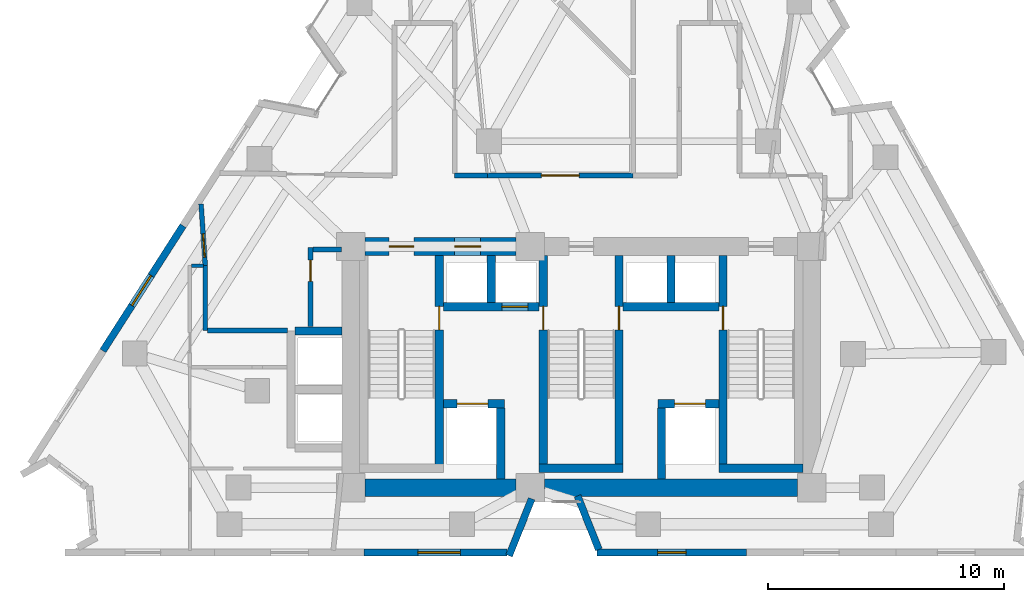
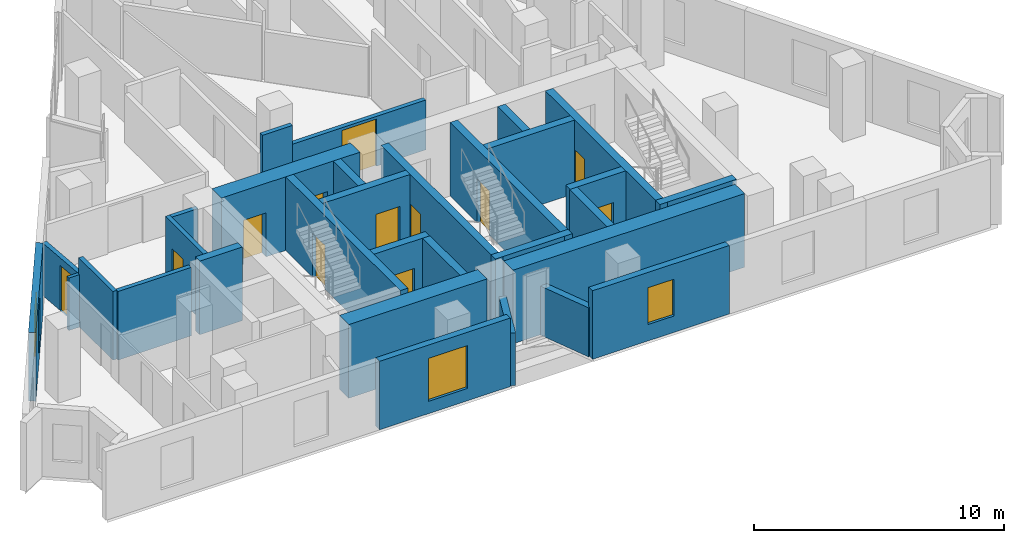
# One storey, part 6 of 10: 31 walls, 12 doors, 3 windows, 15 openings.
"""IFC4 building model written with IfcOpenShell, lengths in metres."""

from ifc_helpers import new_model, si_unit, direction, frame, frame_2d, origin, place, context, subcontext, project, spatial, rectangle, extrude, material, layer, layer_set, type_object, element, fill, save


model = new_model("IFC4")

# Units and contexts
model_context = context("Model", 3, precision=1e-05, world=origin(), true_north=direction((0.0, 1.0)))
body_context = subcontext(model_context, "Body", "Model", "MODEL_VIEW")
ifc_project = project(units=[si_unit("LENGTHUNIT", "METRE"), si_unit("AREAUNIT", "SQUARE_METRE"), si_unit("VOLUMEUNIT", "CUBIC_METRE"), si_unit("PLANEANGLEUNIT", "RADIAN"), si_unit("MASSUNIT", "GRAM", prefix="KILO")], contexts=[model_context])

# Site, building, storey
site_placement = place(None, origin())
site = spatial("IfcSite", under=ifc_project, at=site_placement, CompositionType="ELEMENT")
building_placement = place(site_placement, origin())
building = spatial("IfcBuilding", under=site, at=building_placement, Name="Almagre Mirador Tower", CompositionType="ELEMENT")
storey_placement = place(building_placement, frame((0.0, 0.0, 164.39990234375)))
storey = spatial("IfcBuildingStorey", under=building, at=storey_placement, Name="L42", CompositionType="ELEMENT", Elevation=164.39990234375)

# Wall, opening, window
ifc_material_1 = material(Name="Precast concrete C50/60", Category="concrete")
ifc_layer_1 = layer(ifc_material_1, 0.300048828125)
ifc_layer_set_1 = layer_set([ifc_layer_1], Name="Precast concrete C50/60")
wall_type_1 = type_object("IfcWallType", Name="WAL-EXT-300", PredefinedType="SOLIDWALL", material=ifc_layer_set_1)
wall_1_placement = place(storey_placement, frame((44.28662109375, 1.800048828125, 0.0), z_axis=(0.0, 0.0, 1.0), x_axis=(-1.0, 0.0, 0.0)))
wall_1 = element("IfcWall", 1, at=wall_1_placement, inside=storey, type_object=wall_type_1, Name="L42 expressed almagre precast frame wall 23", PredefinedType="SOLIDWALL", context=body_context, shape_type="SweptSolid", body=[
    extrude(rectangle(XDim=6.32666015625, YDim=0.300048828125, at=frame_2d((3.163330078125, 0.0))), origin(), (0.0, 0.0, 1.0), 3.35009765625),
])
opening_1_placement = place(wall_1_placement, frame((2.550048828125, 0.0, 0.800048828125)))
opening_1 = element("IfcOpeningElement", 2, at=opening_1_placement, cuts=wall_1, Name="Opening WN-04", PredefinedType="OPENING", context=body_context, shape_type="SweptSolid", body=[
    extrude(rectangle(XDim=1.199951171875, YDim=1.800048828125, at=frame_2d((0.60009765625, 0.89990234375))), frame((0.0, 0.159902, 0.0), z_axis=(0.0, -1.0, 0.0), x_axis=(1.0, 0.0, 0.0)), (0.0, 0.0, 1.0), 0.320049),
])
ifc_material_2 = material(Name="Dark solar-control laminated hurricane glass", Category="glass")
window_type_1 = type_object("IfcWindowType", Name="WIN-1200X1800", PartitioningType="SINGLE_PANEL", PredefinedType="WINDOW", material=ifc_material_2)
window_1_placement = place(opening_1_placement, origin())
window_1 = element("IfcWindow", 3, at=window_1_placement, inside=storey, type_object=window_type_1, Name="L42 recessed hurricane window L42-RST-B", OverallHeight=1.800048828125, OverallWidth=1.199951171875, PartitioningType="SINGLE_PANEL", PredefinedType="WINDOW", context=body_context, shape_type="SweptSolid", body=[
    extrude(rectangle(XDim=1.199951171875, YDim=1.800048828125, at=frame_2d((0.60009765625, 0.89990234375))), frame((0.0, 0.030029296875, 0.0), z_axis=(0.0, -1.0, 0.0), x_axis=(1.0, 0.0, 0.0)), (0.0, 0.0, 1.0), 0.06005859375),
])
fill(opening_1, window_1)

# Walls
wall_2_placement = place(storey_placement, frame((38.048095703125, 1.93017578125, 0.0), z_axis=(0.0, 0.0, 1.0), x_axis=(-0.369476217581, 0.929240186734, 0.0)))
element("IfcWall", 4, at=wall_2_placement, inside=storey, type_object=wall_type_1, Name="L42 expressed almagre precast frame wall 24", PredefinedType="SOLIDWALL", context=body_context, shape_type="SweptSolid", body=[
    extrude(rectangle(XDim=2.441650390625, YDim=0.300048828125, at=frame_2d((1.220703125, 0.0))), origin(), (0.0, 0.0, 1.0), 2.398193359375),
])
wall_3_placement = place(storey_placement, frame((35.206787109375, 4.080078125, 0.0), z_axis=(0.0, 0.0, 1.0), x_axis=(-0.369539870332, -0.929214875169, 0.0)))
element("IfcWall", 5, at=wall_3_placement, inside=storey, type_object=wall_type_1, Name="L42 expressed almagre precast frame wall 25", PredefinedType="SOLIDWALL", context=body_context, shape_type="SweptSolid", body=[
    extrude(rectangle(XDim=2.59375, YDim=0.300048828125, at=frame_2d((1.296875, 0.0))), origin(), (0.0, 0.0, 1.0), 2.5751953125),
])

# Wall, opening, window
wall_4_placement = place(storey_placement, frame((34.159912109375, 1.800048828125, 0.0), z_axis=(0.0, 0.0, 1.0), x_axis=(-1.0, 0.0, 0.0)))
wall_4 = element("IfcWall", 6, at=wall_4_placement, inside=storey, type_object=wall_type_1, Name="L42 expressed almagre precast frame wall 26", PredefinedType="SOLIDWALL", context=body_context, shape_type="SweptSolid", body=[
    extrude(rectangle(XDim=6.046630859375, YDim=0.300048828125, at=frame_2d((3.0234375, 0.0))), origin(), (0.0, 0.0, 1.0), 3.35009765625),
])
opening_2_placement = place(wall_4_placement, frame((1.969970703125, 0.0, 0.60009765625)))
opening_2 = element("IfcOpeningElement", 7, at=opening_2_placement, cuts=wall_4, Name="Opening WN-01", PredefinedType="OPENING", context=body_context, shape_type="SweptSolid", body=[
    extrude(rectangle(XDim=1.800048828125, YDim=2.10009765625, at=frame_2d((0.89990234375, 1.050048828125))), frame((0.0, 0.159902, 0.0), z_axis=(0.0, -1.0, 0.0), x_axis=(1.0, 0.0, 0.0)), (0.0, 0.0, 1.0), 0.320049),
])
ifc_material_3 = material(Name="Dark solar-control laminated hurricane glass", Category="glass")
window_type_2 = type_object("IfcWindowType", Name="WIN-1800X2100", PartitioningType="DOUBLE_PANEL_VERTICAL", PredefinedType="WINDOW", material=ifc_material_3)
window_2_placement = place(opening_2_placement, origin())
window_2 = element("IfcWindow", 8, at=window_2_placement, inside=storey, type_object=window_type_2, Name="L42 recessed hurricane window L42-RST-B", OverallHeight=2.10009765625, OverallWidth=1.800048828125, PartitioningType="SINGLE_PANEL", PredefinedType="WINDOW", context=body_context, shape_type="SweptSolid", body=[
    extrude(rectangle(XDim=1.800048828125, YDim=2.10009765625, at=frame_2d((0.89990234375, 1.050048828125))), frame((0.0, 0.030029296875, 0.0), z_axis=(0.0, -1.0, 0.0), x_axis=(1.0, 0.0, 0.0)), (0.0, 0.0, 1.0), 0.06005859375),
])
fill(opening_2, window_2)

wall_5_placement = place(storey_placement, frame((17.07177734375, 10.33935546875, 0.0), z_axis=(0.0, 0.0, 1.0), x_axis=(0.539533329528, 0.841964242904, 0.0)))
wall_5 = element("IfcWall", 9, at=wall_5_placement, inside=storey, type_object=wall_type_1, Name="L42 expressed almagre precast frame wall 34", PredefinedType="SOLIDWALL", context=body_context, shape_type="SweptSolid", body=[
    extrude(rectangle(XDim=6.281982421875, YDim=0.300048828125, at=frame_2d((3.14111328125, 0.0))), origin(), (0.0, 0.0, 1.0), 3.35009765625),
])
opening_3_placement = place(wall_5_placement, frame((2.27490234375, 0.0, 0.60009765625)))
opening_3 = element("IfcOpeningElement", 10, at=opening_3_placement, cuts=wall_5, Name="Opening WN-03", PredefinedType="OPENING", context=body_context, shape_type="SweptSolid", body=[
    extrude(rectangle(XDim=1.5, YDim=2.10009765625, at=frame_2d((0.75, 1.050048828125))), frame((0.0, 0.159902, 0.0), z_axis=(0.0, -1.0, 0.0), x_axis=(1.0, 0.0, 0.0)), (0.0, 0.0, 1.0), 0.320049),
])
ifc_material_4 = material(Name="Dark solar-control laminated hurricane glass", Category="glass")
window_type_3 = type_object("IfcWindowType", Name="WIN-1500X2100", PartitioningType="DOUBLE_PANEL_VERTICAL", PredefinedType="WINDOW", material=ifc_material_4)
window_3_placement = place(opening_3_placement, origin())
window_3 = element("IfcWindow", 11, at=window_3_placement, inside=storey, type_object=window_type_3, Name="L42 recessed hurricane window L42-UA-LV", OverallHeight=2.10009765625, OverallWidth=1.5, PartitioningType="SINGLE_PANEL", PredefinedType="WINDOW", context=body_context, shape_type="SweptSolid", body=[
    extrude(rectangle(XDim=1.5, YDim=2.10009765625, at=frame_2d((0.75, 1.050048828125))), frame((0.0, 0.030029296875, 0.0), z_axis=(0.0, -1.0, 0.0), x_axis=(1.0, 0.0, 0.0)), (0.0, 0.0, 1.0), 0.06005859375),
])
fill(opening_3, window_3)

# Wall
ifc_material_5 = material(Name="Gypsum acoustic stud partition", Category="other")
ifc_layer_2 = layer(ifc_material_5, 0.14990234375)
ifc_layer_set_2 = layer_set([ifc_layer_2], Name="Gypsum acoustic stud partition")
wall_type_2 = type_object("IfcWallType", Name="WAL-PRT-150-STD", PredefinedType="PARTITIONING", material=ifc_layer_set_2)
wall_6_placement = place(storey_placement, frame((20.81005859375, 13.93994140625, 0.0), z_axis=(0.0, 0.0, 1.0), x_axis=(1.0, 0.0, 0.0)))
element("IfcWall", 12, at=wall_6_placement, inside=storey, type_object=wall_type_2, Name="L42 interior partition 021", PredefinedType="PARTITIONING", context=body_context, shape_type="SweptSolid", body=[
    extrude(rectangle(XDim=0.5048828125, YDim=0.14990234375, at=frame_2d((0.25244140625, 0.0))), origin(), (0.0, 0.0, 1.0), 2.570068359375),
])

# Wall, opening, door
ifc_material_6 = material(Name="Gypsum acoustic stud partition", Category="other")
ifc_layer_3 = layer(ifc_material_6, 0.199951171875)
ifc_layer_set_3 = layer_set([ifc_layer_3], Name="Gypsum acoustic stud partition")
wall_type_3 = type_object("IfcWallType", Name="WAL-PRT-200-EI60", PredefinedType="PARTITIONING", material=ifc_layer_set_3)
wall_7_placement = place(storey_placement, frame((25.85009765625, 11.3701171875, 0.0), z_axis=(0.0, 0.0, 1.0), x_axis=(0.0, 1.0, 0.0)))
wall_7 = element("IfcWall", 13, at=wall_7_placement, inside=storey, type_object=wall_type_3, Name="L42 core ancillary west wall", PredefinedType="PARTITIONING", context=body_context, shape_type="SweptSolid", body=[
    extrude(rectangle(XDim=3.33984375, YDim=0.199951171875, at=frame_2d((1.669921875, 0.0))), origin(), (0.0, 0.0, 1.0), 3.35009765625),
])
opening_4_placement = place(wall_7_placement, frame((1.89990234375, 0.0, 0.0)))
opening_4 = element("IfcOpeningElement", 14, at=opening_4_placement, cuts=wall_7, Name="Opening ID-03", PredefinedType="OPENING", context=body_context, shape_type="SweptSolid", body=[
    extrude(rectangle(XDim=0.89990234375, YDim=2.10009765625, at=frame_2d((0.449951171875, 1.050048828125))), frame((0.0, 0.110098, 0.0), z_axis=(0.0, -1.0, 0.0), x_axis=(1.0, 0.0, 0.0)), (0.0, 0.0, 1.0), 0.219951),
])
ifc_material_7 = material(Name="Fire-rated hollow steel", Category="steel")
door_type_1 = type_object("IfcDoorType", Name="DOR-FD60-900X2100", OperationType="NOTDEFINED", PredefinedType="DOOR", material=ifc_material_7)
door_1_placement = place(opening_4_placement, origin())
door_1 = element("IfcDoor", 15, at=door_1_placement, inside=storey, type_object=door_type_1, Name="DR-1343 L42 core ancillary corridor door", OperationType="SINGLE_SWING_RIGHT", OverallHeight=2.10009765625, OverallWidth=0.89990234375, PredefinedType="DOOR", context=body_context, shape_type="SweptSolid", body=[
    extrude(rectangle(XDim=0.89990234375, YDim=2.10009765625, at=frame_2d((0.449951171875, 1.050048828125))), frame((0.0, 0.02490234375, 0.0), z_axis=(0.0, -1.0, 0.0), x_axis=(1.0, 0.0, 0.0)), (0.0, 0.0, 1.0), 0.050048828125),
])
fill(opening_4, door_1)

# Wall
wall_8_placement = place(storey_placement, frame((25.955078125, 14.6201171875, 0.0), z_axis=(0.0, 0.0, 1.0), x_axis=(1.0, 0.0, 0.0)))
element("IfcWall", 16, at=wall_8_placement, inside=storey, type_object=wall_type_3, Name="L42 core ancillary north wall", PredefinedType="PARTITIONING", context=body_context, shape_type="SweptSolid", body=[
    extrude(rectangle(XDim=1.204833984375, YDim=0.199951171875, at=frame_2d((0.6025390625, 0.0))), origin(), (0.0, 0.0, 1.0), 3.35009765625),
])

# Wall, opening, door
wall_9_placement = place(storey_placement, frame((21.221923828125, 16.547119140625, 0.0), z_axis=(0.0, 0.0, 1.0), x_axis=(0.068106312632, -0.997678069409, 0.0)))
wall_9 = element("IfcWall", 17, at=wall_9_placement, inside=storey, type_object=wall_type_3, Name="L42 interior partition 001", PredefinedType="PARTITIONING", context=body_context, shape_type="SweptSolid", body=[
    extrude(rectangle(XDim=2.61328125, YDim=0.199951171875, at=frame_2d((1.306640625, 0.0))), origin(), (0.0, 0.0, 1.0), 2.570068359375),
])
opening_5_placement = place(wall_9_placement, frame((1.259521484375, 0.0, 0.0)))
opening_5 = element("IfcOpeningElement", 18, at=opening_5_placement, cuts=wall_9, Name="Opening ID-01", PredefinedType="OPENING", context=body_context, shape_type="SweptSolid", body=[
    extrude(rectangle(XDim=1.0, YDim=2.199951171875, at=frame_2d((0.5, 1.10009765625))), frame((0.0, 0.110098, 0.0), z_axis=(0.0, -1.0, 0.0), x_axis=(1.0, 0.0, 0.0)), (0.0, 0.0, 1.0), 0.219951),
])
ifc_material_8 = material(Name="Fire-rated walnut timber", Category="wood")
door_type_2 = type_object("IfcDoorType", Name="DOR-FD60-1000X2200", OperationType="NOTDEFINED", PredefinedType="DOOR", material=ifc_material_8)
door_2_placement = place(opening_5_placement, origin())
door_2 = element("IfcDoor", 19, at=door_2_placement, inside=storey, type_object=door_type_2, Name="DR-1354 L42 interior door L42-RCOR to L42-UA-LV", OperationType="SINGLE_SWING_LEFT", OverallHeight=2.199951171875, OverallWidth=1.0, PredefinedType="DOOR", context=body_context, shape_type="SweptSolid", body=[
    extrude(rectangle(XDim=1.0, YDim=2.199951171875, at=frame_2d((0.5, 1.10009765625))), frame((0.0, 0.02490234375, 0.0), z_axis=(0.0, -1.0, 0.0), x_axis=(1.0, 0.0, 0.0)), (0.0, 0.0, 1.0), 0.050048828125),
])
fill(opening_5, door_2)

# Walls
wall_10_placement = place(storey_placement, frame((21.39990234375, 13.93994140625, 0.0), z_axis=(0.0, 0.0, 1.0), x_axis=(0.0, -1.0, 0.0)))
element("IfcWall", 20, at=wall_10_placement, inside=storey, type_object=wall_type_3, Name="L42 interior partition 002", PredefinedType="PARTITIONING", context=body_context, shape_type="SweptSolid", body=[
    extrude(rectangle(XDim=2.739990234375, YDim=0.199951171875, at=frame_2d((1.3701171875, 0.0))), origin(), (0.0, 0.0, 1.0), 3.35009765625),
])
wall_11_placement = place(storey_placement, frame((21.485107421875, 11.199951171875, 0.0), z_axis=(0.0, 0.0, 1.0), x_axis=(1.0, 0.0, 0.0)))
element("IfcWall", 21, at=wall_11_placement, inside=storey, type_object=wall_type_3, Name="L42 interior partition 003", PredefinedType="PARTITIONING", context=body_context, shape_type="SweptSolid", body=[
    extrude(rectangle(XDim=3.384033203125, YDim=0.199951171875, at=frame_2d((1.69189453125, 0.0))), origin(), (0.0, 0.0, 1.0), 3.35009765625),
])
wall_12_placement = place(storey_placement, frame((33.330078125, 17.75, 0.0), z_axis=(0.0, 0.0, 1.0), x_axis=(-1.0, 0.0, 0.0)))
element("IfcWall", 22, at=wall_12_placement, inside=storey, type_object=wall_type_3, Name="L42 interior partition 010", PredefinedType="PARTITIONING", context=body_context, shape_type="SweptSolid", body=[
    extrude(rectangle(XDim=1.380126953125, YDim=0.199951171875, at=frame_2d((0.68994140625, 0.0))), origin(), (0.0, 0.0, 1.0), 3.35009765625),
])

# Wall, opening, door
wall_13_placement = place(storey_placement, frame((39.5, 17.75, 0.0), z_axis=(0.0, 0.0, 1.0), x_axis=(-1.0, 0.0, 0.0)))
wall_13 = element("IfcWall", 23, at=wall_13_placement, inside=storey, type_object=wall_type_3, Name="L42 interior partition 013", PredefinedType="PARTITIONING", context=body_context, shape_type="SweptSolid", body=[
    extrude(rectangle(XDim=6.169921875, YDim=0.199951171875, at=frame_2d((3.0849609375, 0.0))), origin(), (0.0, 0.0, 1.0), 2.43603515625),
])
opening_6_placement = place(wall_13_placement, frame((2.284912109375, 0.0, 0.0)))
opening_6 = element("IfcOpeningElement", 24, at=opening_6_placement, cuts=wall_13, Name="Opening ID-05", PredefinedType="OPENING", context=body_context, shape_type="SweptSolid", body=[
    extrude(rectangle(XDim=1.60009765625, YDim=2.300048828125, at=frame_2d((0.800048828125, 1.14990234375))), frame((0.0, 0.110098, 0.0), z_axis=(0.0, -1.0, 0.0), x_axis=(1.0, 0.0, 0.0)), (0.0, 0.0, 1.0), 0.219951),
])
ifc_material_9 = material(Name="Fire-rated acoustic timber", Category="wood")
door_type_3 = type_object("IfcDoorType", Name="DOR-FD60-1600X2300", OperationType="DOUBLE_DOOR_SINGLE_SWING", PredefinedType="DOOR", material=ifc_material_9)
door_3_placement = place(opening_6_placement, origin())
door_3 = element("IfcDoor", 25, at=door_3_placement, inside=storey, type_object=door_type_3, Name="DR-1351 L42 interior door L42-RCOR to L42-RST-G", OperationType="DOUBLE_DOOR_SINGLE_SWING", OverallHeight=2.300048828125, OverallWidth=1.60009765625, PredefinedType="DOOR", context=body_context, shape_type="SweptSolid", body=[
    extrude(rectangle(XDim=1.60009765625, YDim=2.300048828125, at=frame_2d((0.800048828125, 1.14990234375))), frame((0.0, 0.02490234375, 0.0), z_axis=(0.0, -1.0, 0.0), x_axis=(1.0, 0.0, 0.0)), (0.0, 0.0, 1.0), 0.050048828125),
])
fill(opening_6, door_3)

ifc_material_10 = material(Name="Concrete C60/75", Category="concrete")
ifc_layer_4 = layer(ifc_material_10, 0.35009765625)
ifc_layer_set_4 = layer_set([ifc_layer_4], Name="Concrete C60/75")
wall_type_4 = type_object("IfcWallType", Name="WAL-SHF-350", PredefinedType="SOLIDWALL", material=ifc_layer_set_4)
wall_14_placement = place(storey_placement, frame((31.300048828125, 5.199951171875, 0.0), z_axis=(0.0, 0.0, 1.0), x_axis=(0.0, 1.0, 0.0)))
wall_14 = element("IfcWall", 26, at=wall_14_placement, inside=storey, type_object=wall_type_4, Name="L42 shaft wall ST1-E", PredefinedType="SOLIDWALL", context=body_context, shape_type="SweptSolid", body=[
    extrude(rectangle(XDim=9.175048828125, YDim=0.35009765625, at=frame_2d((4.58740234375, 0.0))), origin(), (0.0, 0.0, 1.0), 3.60009765625),
])
opening_7_placement = place(wall_14_placement, frame((6.02001953125, 0.0, 0.0)))
opening_7 = element("IfcOpeningElement", 27, at=opening_7_placement, cuts=wall_14, Name="Opening FD-01", PredefinedType="OPENING", context=body_context, shape_type="SweptSolid", body=[
    extrude(rectangle(XDim=1.0, YDim=2.14990234375, at=frame_2d((0.5, 1.074951171875))), frame((0.0, 0.185049, 0.0), z_axis=(0.0, -1.0, 0.0), x_axis=(1.0, 0.0, 0.0)), (0.0, 0.0, 1.0), 0.370098),
])
ifc_material_11 = material(Name="Fire-rated hollow steel", Category="steel")
door_type_4 = type_object("IfcDoorType", Name="DOR-FFL-1000X2150", OperationType="NOTDEFINED", PredefinedType="DOOR", material=ifc_material_11)
door_4_placement = place(opening_7_placement, origin())
door_4 = element("IfcDoor", 28, at=door_4_placement, inside=storey, type_object=door_type_4, Name="DR-1344 L42 FFL1-ST1 smokeproof door", OperationType="SINGLE_SWING_RIGHT", OverallHeight=2.14990234375, OverallWidth=1.0, PredefinedType="DOOR", context=body_context, shape_type="SweptSolid", body=[
    extrude(rectangle(XDim=1.0, YDim=2.14990234375, at=frame_2d((0.5, 1.074951171875))), frame((0.0, 0.02490234375, 0.0), z_axis=(0.0, -1.0, 0.0), x_axis=(1.0, 0.0, 0.0)), (0.0, 0.0, 1.0), 0.050048828125),
])
fill(opening_7, door_4)

wall_15_placement = place(storey_placement, frame((35.699951171875, 5.199951171875, 0.0), z_axis=(0.0, 0.0, 1.0), x_axis=(0.0, 1.0, 0.0)))
wall_15 = element("IfcWall", 29, at=wall_15_placement, inside=storey, type_object=wall_type_4, Name="L42 shaft wall ST2-W", PredefinedType="SOLIDWALL", context=body_context, shape_type="SweptSolid", body=[
    extrude(rectangle(XDim=9.175048828125, YDim=0.35009765625, at=frame_2d((4.58740234375, 0.0))), origin(), (0.0, 0.0, 1.0), 3.60009765625),
])
opening_8_placement = place(wall_15_placement, frame((6.02001953125, 0.0, 0.0)))
opening_8 = element("IfcOpeningElement", 30, at=opening_8_placement, cuts=wall_15, Name="Opening FD-01", PredefinedType="OPENING", context=body_context, shape_type="SweptSolid", body=[
    extrude(rectangle(XDim=1.0, YDim=2.14990234375, at=frame_2d((0.5, 1.074951171875))), frame((0.0, 0.185049, 0.0), z_axis=(0.0, -1.0, 0.0), x_axis=(1.0, 0.0, 0.0)), (0.0, 0.0, 1.0), 0.370098),
])
door_5_placement = place(opening_8_placement, origin())
door_5 = element("IfcDoor", 31, at=door_5_placement, inside=storey, type_object=door_type_4, Name="DR-1345 L42 FFL1-ST2 smokeproof door", OperationType="SINGLE_SWING_LEFT", OverallHeight=2.14990234375, OverallWidth=1.0, PredefinedType="DOOR", context=body_context, shape_type="SweptSolid", body=[
    extrude(rectangle(XDim=1.0, YDim=2.14990234375, at=frame_2d((0.5, 1.074951171875))), frame((0.0, 0.02490234375, 0.0), z_axis=(0.0, -1.0, 0.0), x_axis=(1.0, 0.0, 0.0)), (0.0, 0.0, 1.0), 0.050048828125),
])
fill(opening_8, door_5)

wall_16_placement = place(storey_placement, frame((38.89990234375, 5.199951171875, 0.0), z_axis=(0.0, 0.0, 1.0), x_axis=(0.0, 1.0, 0.0)))
wall_16 = element("IfcWall", 32, at=wall_16_placement, inside=storey, type_object=wall_type_4, Name="L42 shaft wall ST2-E", PredefinedType="SOLIDWALL", context=body_context, shape_type="SweptSolid", body=[
    extrude(rectangle(XDim=9.175048828125, YDim=0.35009765625, at=frame_2d((4.58740234375, 0.0))), origin(), (0.0, 0.0, 1.0), 3.60009765625),
])
opening_9_placement = place(wall_16_placement, frame((6.02001953125, 0.0, 0.0)))
opening_9 = element("IfcOpeningElement", 33, at=opening_9_placement, cuts=wall_16, Name="Opening FD-01", PredefinedType="OPENING", context=body_context, shape_type="SweptSolid", body=[
    extrude(rectangle(XDim=1.0, YDim=2.14990234375, at=frame_2d((0.5, 1.074951171875))), frame((0.0, 0.185049, 0.0), z_axis=(0.0, -1.0, 0.0), x_axis=(1.0, 0.0, 0.0)), (0.0, 0.0, 1.0), 0.370098),
])
door_6_placement = place(opening_9_placement, origin())
door_6 = element("IfcDoor", 34, at=door_6_placement, inside=storey, type_object=door_type_4, Name="DR-1346 L42 FFL2-ST2 smokeproof door", OperationType="SINGLE_SWING_RIGHT", OverallHeight=2.14990234375, OverallWidth=1.0, PredefinedType="DOOR", context=body_context, shape_type="SweptSolid", body=[
    extrude(rectangle(XDim=1.0, YDim=2.14990234375, at=frame_2d((0.5, 1.074951171875))), frame((0.0, 0.02490234375, 0.0), z_axis=(0.0, -1.0, 0.0), x_axis=(1.0, 0.0, 0.0)), (0.0, 0.0, 1.0), 0.050048828125),
])
fill(opening_9, door_6)

# Wall
wall_17_placement = place(storey_placement, frame((35.52490234375, 5.375, 0.0), z_axis=(0.0, 0.0, 1.0), x_axis=(1.0, 0.0, 0.0)))
element("IfcWall", 35, at=wall_17_placement, inside=storey, type_object=wall_type_4, Name="L42 shaft wall ST2-S", PredefinedType="SOLIDWALL", context=body_context, shape_type="SweptSolid", body=[
    extrude(rectangle(XDim=3.550048828125, YDim=0.35009765625, at=frame_2d((1.77490234375, 0.0))), origin(), (0.0, 0.0, 1.0), 3.60009765625),
])

# Wall, opening, door
wall_18_placement = place(storey_placement, frame((43.300048828125, 5.199951171875, 0.0), z_axis=(0.0, 0.0, 1.0), x_axis=(0.0, 1.0, 0.0)))
wall_18 = element("IfcWall", 36, at=wall_18_placement, inside=storey, type_object=wall_type_4, Name="L42 shaft wall ST3-W", PredefinedType="SOLIDWALL", context=body_context, shape_type="SweptSolid", body=[
    extrude(rectangle(XDim=9.175048828125, YDim=0.35009765625, at=frame_2d((4.58740234375, 0.0))), origin(), (0.0, 0.0, 1.0), 3.60009765625),
])
opening_10_placement = place(wall_18_placement, frame((6.02001953125, 0.0, 0.0)))
opening_10 = element("IfcOpeningElement", 37, at=opening_10_placement, cuts=wall_18, Name="Opening FD-01", PredefinedType="OPENING", context=body_context, shape_type="SweptSolid", body=[
    extrude(rectangle(XDim=1.0, YDim=2.14990234375, at=frame_2d((0.5, 1.074951171875))), frame((0.0, 0.185049, 0.0), z_axis=(0.0, -1.0, 0.0), x_axis=(1.0, 0.0, 0.0)), (0.0, 0.0, 1.0), 0.370098),
])
door_7_placement = place(opening_10_placement, origin())
door_7 = element("IfcDoor", 38, at=door_7_placement, inside=storey, type_object=door_type_4, Name="DR-1347 L42 FFL2-ST3 smokeproof door", OperationType="SINGLE_SWING_LEFT", OverallHeight=2.14990234375, OverallWidth=1.0, PredefinedType="DOOR", context=body_context, shape_type="SweptSolid", body=[
    extrude(rectangle(XDim=1.0, YDim=2.14990234375, at=frame_2d((0.5, 1.074951171875))), frame((0.0, 0.02490234375, 0.0), z_axis=(0.0, -1.0, 0.0), x_axis=(1.0, 0.0, 0.0)), (0.0, 0.0, 1.0), 0.050048828125),
])
fill(opening_10, door_7)

# Wall
wall_19_placement = place(storey_placement, frame((43.125, 5.375, 0.0), z_axis=(0.0, 0.0, 1.0), x_axis=(1.0, 0.0, 0.0)))
element("IfcWall", 39, at=wall_19_placement, inside=storey, type_object=wall_type_4, Name="L42 shaft wall ST3-S", PredefinedType="SOLIDWALL", context=body_context, shape_type="SweptSolid", body=[
    extrude(rectangle(XDim=3.550048828125, YDim=0.35009765625, at=frame_2d((1.77490234375, 0.0))), origin(), (0.0, 0.0, 1.0), 3.60009765625),
])

# Wall, opening, door
wall_20_placement = place(storey_placement, frame((31.47509765625, 8.10009765625, 0.0), z_axis=(0.0, 0.0, 1.0), x_axis=(1.0, 0.0, 0.0)))
wall_20 = element("IfcWall", 40, at=wall_20_placement, inside=storey, type_object=wall_type_4, Name="L42 shaft wall FSAE1-N", PredefinedType="SOLIDWALL", context=body_context, shape_type="SweptSolid", body=[
    extrude(rectangle(XDim=2.574951171875, YDim=0.35009765625, at=frame_2d((1.28759765625, 0.0))), origin(), (0.0, 0.0, 1.0), 3.60009765625),
])
opening_11_placement = place(wall_20_placement, frame((0.574951171875, 0.0, 0.0)))
opening_11 = element("IfcOpeningElement", 41, at=opening_11_placement, cuts=wall_20, Name="Opening LD-03", PredefinedType="OPENING", context=body_context, shape_type="SweptSolid", body=[
    extrude(rectangle(XDim=1.300048828125, YDim=2.25, at=frame_2d((0.64990234375, 1.125))), frame((0.0, 0.185049, 0.0), z_axis=(0.0, -1.0, 0.0), x_axis=(1.0, 0.0, 0.0)), (0.0, 0.0, 1.0), 0.370098),
])
ifc_material_12 = material(Name="Hollow stainless steel", Category="steel")
door_type_5 = type_object("IfcDoorType", Name="DOR-LD-1300X2250", OperationType="DOUBLE_DOOR_SLIDING", PredefinedType="DOOR", material=ifc_material_12)
door_8_placement = place(opening_11_placement, origin())
door_8 = element("IfcDoor", 42, at=door_8_placement, inside=storey, type_object=door_type_5, Name="DR-1364 L42 FSAE-1 lift landing door", OperationType="DOUBLE_DOOR_SLIDING", OverallHeight=2.25, OverallWidth=1.300048828125, PredefinedType="DOOR", context=body_context, shape_type="SweptSolid", body=[
    extrude(rectangle(XDim=1.300048828125, YDim=2.25, at=frame_2d((0.64990234375, 1.125))), frame((0.0, 0.02490234375, 0.0), z_axis=(0.0, -1.0, 0.0), x_axis=(1.0, 0.0, 0.0)), (0.0, 0.0, 1.0), 0.050048828125),
])
fill(opening_11, door_8)

wall_21_placement = place(storey_placement, frame((40.550048828125, 8.10009765625, 0.0), z_axis=(0.0, 0.0, 1.0), x_axis=(1.0, 0.0, 0.0)))
wall_21 = element("IfcWall", 43, at=wall_21_placement, inside=storey, type_object=wall_type_4, Name="L42 shaft wall FSAE2-N", PredefinedType="SOLIDWALL", context=body_context, shape_type="SweptSolid", body=[
    extrude(rectangle(XDim=2.574951171875, YDim=0.35009765625, at=frame_2d((1.28759765625, 0.0))), origin(), (0.0, 0.0, 1.0), 3.60009765625),
])
opening_12_placement = place(wall_21_placement, frame((0.699951171875, 0.0, 0.0)))
opening_12 = element("IfcOpeningElement", 44, at=opening_12_placement, cuts=wall_21, Name="Opening LD-03", PredefinedType="OPENING", context=body_context, shape_type="SweptSolid", body=[
    extrude(rectangle(XDim=1.300048828125, YDim=2.25, at=frame_2d((0.64990234375, 1.125))), frame((0.0, 0.185049, 0.0), z_axis=(0.0, -1.0, 0.0), x_axis=(1.0, 0.0, 0.0)), (0.0, 0.0, 1.0), 0.370098),
])
door_9_placement = place(opening_12_placement, origin())
door_9 = element("IfcDoor", 45, at=door_9_placement, inside=storey, type_object=door_type_5, Name="DR-1365 L42 FSAE-2 lift landing door", OperationType="DOUBLE_DOOR_SLIDING", OverallHeight=2.25, OverallWidth=1.300048828125, PredefinedType="DOOR", context=body_context, shape_type="SweptSolid", body=[
    extrude(rectangle(XDim=1.300048828125, YDim=2.25, at=frame_2d((0.64990234375, 1.125))), frame((0.0, 0.02490234375, 0.0), z_axis=(0.0, -1.0, 0.0), x_axis=(1.0, 0.0, 0.0)), (0.0, 0.0, 1.0), 0.050048828125),
])
fill(opening_12, door_9)

# Walls
for number, where, z_axis, x_axis, name in (
    (46, (33.89990234375, 4.925048828125, 0.0), (0.0, 0.0, 1.0), (0.0, 1.0, 0.0), "L42 shaft wall FSAE1-E"),
    (47, (40.699951171875, 4.925048828125, 0.0), (0.0, 0.0, 1.0), (0.0, 1.0, 0.0), "L42 shaft wall FSAE2-W"),
):
    element("IfcWall", number, at=place(storey_placement, frame(where, z_axis=z_axis, x_axis=x_axis)), inside=storey, type_object=wall_type_4, Name=name, PredefinedType="SOLIDWALL", context=body_context, shape_type="SweptSolid", body=[
        extrude(rectangle(XDim=3.0, YDim=0.35009765625, at=frame_2d((1.5, 0.0))), origin(), (0.0, 0.0, 1.0), 3.60009765625),
    ])

# Wall, opening, door
wall_22_placement = place(storey_placement, frame((31.47509765625, 12.199951171875, 0.0), z_axis=(0.0, 0.0, 1.0), x_axis=(1.0, 0.0, 0.0)))
wall_22 = element("IfcWall", 48, at=wall_22_placement, inside=storey, type_object=wall_type_4, Name="L42 shaft wall PLM-S", PredefinedType="SOLIDWALL", context=body_context, shape_type="SweptSolid", body=[
    extrude(rectangle(XDim=4.0498046875, YDim=0.35009765625, at=frame_2d((2.02490234375, 0.0))), origin(), (0.0, 0.0, 1.0), 3.60009765625),
])
opening_13_placement = place(wall_22_placement, frame((2.47509765625, 0.0, 0.0)))
opening_13 = element("IfcOpeningElement", 49, at=opening_13_placement, cuts=wall_22, Name="Opening LD-01", PredefinedType="OPENING", context=body_context, shape_type="SweptSolid", body=[
    extrude(rectangle(XDim=1.10009765625, YDim=2.199951171875, at=frame_2d((0.550048828125, 1.10009765625))), frame((0.0, 0.185049, 0.0), z_axis=(0.0, -1.0, 0.0), x_axis=(1.0, 0.0, 0.0)), (0.0, 0.0, 1.0), 0.370098),
])
ifc_material_13 = material(Name="Hollow stainless steel", Category="steel")
door_type_6 = type_object("IfcDoorType", Name="DOR-LD-1100X2200", OperationType="DOUBLE_DOOR_SLIDING", PredefinedType="DOOR", material=ifc_material_13)
door_10_placement = place(opening_13_placement, origin())
door_10 = element("IfcDoor", 50, at=door_10_placement, inside=storey, type_object=door_type_6, Name="DR-1367 L42 PL-M2 lift landing door", OperationType="DOUBLE_DOOR_SLIDING", OverallHeight=2.199951171875, OverallWidth=1.10009765625, PredefinedType="DOOR", context=body_context, shape_type="SweptSolid", body=[
    extrude(rectangle(XDim=1.10009765625, YDim=2.199951171875, at=frame_2d((0.550048828125, 1.10009765625))), frame((0.0, 0.02490234375, 0.0), z_axis=(0.0, -1.0, 0.0), x_axis=(1.0, 0.0, 0.0)), (0.0, 0.0, 1.0), 0.050048828125),
])
fill(opening_13, door_10)

# Walls
wall_23_placement = place(storey_placement, frame((33.5, 12.375, 0.0), z_axis=(0.0, 0.0, 1.0), x_axis=(0.0, 1.0, 0.0)))
element("IfcWall", 51, at=wall_23_placement, inside=storey, type_object=wall_type_4, Name="L42 shaft wall PLM-M", PredefinedType="SOLIDWALL", context=body_context, shape_type="SweptSolid", body=[
    extrude(rectangle(XDim=2.0, YDim=0.35009765625, at=frame_2d((1.0, 0.0))), origin(), (0.0, 0.0, 1.0), 3.60009765625),
])
wall_24_placement = place(storey_placement, frame((39.074951171875, 12.199951171875, 0.0), z_axis=(0.0, 0.0, 1.0), x_axis=(1.0, 0.0, 0.0)))
element("IfcWall", 52, at=wall_24_placement, inside=storey, type_object=wall_type_4, Name="L42 shaft wall PLH-S", PredefinedType="SOLIDWALL", context=body_context, shape_type="SweptSolid", body=[
    extrude(rectangle(XDim=4.050048828125, YDim=0.35009765625, at=frame_2d((2.02490234375, 0.0))), origin(), (0.0, 0.0, 1.0), 3.60009765625),
])
wall_25_placement = place(storey_placement, frame((41.10009765625, 12.375, 0.0), z_axis=(0.0, 0.0, 1.0), x_axis=(0.0, 1.0, 0.0)))
element("IfcWall", 53, at=wall_25_placement, inside=storey, type_object=wall_type_4, Name="L42 shaft wall PLH-M", PredefinedType="SOLIDWALL", context=body_context, shape_type="SweptSolid", body=[
    extrude(rectangle(XDim=2.0, YDim=0.35009765625, at=frame_2d((1.0, 0.0))), origin(), (0.0, 0.0, 1.0), 3.60009765625),
])
wall_26_placement = place(storey_placement, frame((25.199951171875, 11.175048828125, 0.0), z_axis=(0.0, 0.0, 1.0), x_axis=(1.0, 0.0, 0.0)))
element("IfcWall", 54, at=wall_26_placement, inside=storey, type_object=wall_type_4, Name="L42 shaft wall OL-N", PredefinedType="SOLIDWALL", context=body_context, shape_type="SweptSolid", body=[
    extrude(rectangle(XDim=1.97509765625, YDim=0.35009765625, at=frame_2d((0.987548828125, 0.0))), origin(), (0.0, 0.0, 1.0), 3.60009765625),
])
ifc_material_14 = material(Name="Concrete C60/75", Category="concrete")
ifc_layer_5 = layer(ifc_material_14, 0.75)
ifc_layer_set_5 = layer_set([ifc_layer_5], Name="Concrete C60/75")
wall_type_5 = type_object("IfcWallType", Name="WAL-SHR-750", PredefinedType="SHEAR", material=ifc_layer_set_5)
wall_27_placement = place(storey_placement, frame((28.14990234375, 4.550048828125, 0.0), z_axis=(0.0, 0.0, 1.0), x_axis=(1.0, 0.0, 0.0)))
element("IfcWall", 55, at=wall_27_placement, inside=storey, type_object=wall_type_5, Name="L42 core shear wall S1", PredefinedType="SHEAR", context=body_context, shape_type="SweptSolid", body=[
    extrude(rectangle(XDim=6.400146484375, YDim=0.75, at=frame_2d((3.2001953125, 0.0))), origin(), (0.0, 0.0, 1.0), 3.60009765625),
])
wall_28_placement = place(storey_placement, frame((35.75, 4.550048828125, 0.0), z_axis=(0.0, 0.0, 1.0), x_axis=(1.0, 0.0, 0.0)))
element("IfcWall", 56, at=wall_28_placement, inside=storey, type_object=wall_type_5, Name="L42 core shear wall S2", PredefinedType="SHEAR", context=body_context, shape_type="SweptSolid", body=[
    extrude(rectangle(XDim=10.699951171875, YDim=0.75, at=frame_2d((5.35009765625, 0.0))), origin(), (0.0, 0.0, 1.0), 3.60009765625),
])

# Wall, openings, doors
wall_29_placement = place(storey_placement, frame((28.14990234375, 14.75, 0.0), z_axis=(0.0, 0.0, 1.0), x_axis=(1.0, 0.0, 0.0)))
wall_29 = element("IfcWall", 57, at=wall_29_placement, inside=storey, type_object=wall_type_5, Name="L42 core shear wall N1", PredefinedType="SHEAR", context=body_context, shape_type="SweptSolid", body=[
    extrude(rectangle(XDim=6.400146484375, YDim=0.75, at=frame_2d((3.2001953125, 0.0))), origin(), (0.0, 0.0, 1.0), 3.60009765625),
])
opening_14_placement = place(wall_29_placement, frame((1.02490234375, 0.0, 0.0)))
opening_14 = element("IfcOpeningElement", 58, at=opening_14_placement, cuts=wall_29, Name="Opening SD-01", PredefinedType="OPENING", context=body_context, shape_type="SweptSolid", body=[
    extrude(rectangle(XDim=1.050048828125, YDim=2.14990234375, at=frame_2d((0.52490234375, 1.074951171875))), frame((0.0, 0.385, 0.0), z_axis=(0.0, -1.0, 0.0), x_axis=(1.0, 0.0, 0.0)), (0.0, 0.0, 1.0), 0.77),
])
opening_15_placement = place(wall_29_placement, frame((3.800048828125, 0.0, 0.0)))
opening_15 = element("IfcOpeningElement", 59, at=opening_15_placement, cuts=wall_29, Name="Opening LD-01", PredefinedType="OPENING", context=body_context, shape_type="SweptSolid", body=[
    extrude(rectangle(XDim=1.10009765625, YDim=2.199951171875, at=frame_2d((0.550048828125, 1.10009765625))), frame((0.0, 0.385, 0.0), z_axis=(0.0, -1.0, 0.0), x_axis=(1.0, 0.0, 0.0)), (0.0, 0.0, 1.0), 0.77),
])
door_11_placement = place(opening_15_placement, origin())
door_11 = element("IfcDoor", 60, at=door_11_placement, inside=storey, type_object=door_type_6, Name="DR-1366 L42 PL-M1 lift landing door", OperationType="DOUBLE_DOOR_SLIDING", OverallHeight=2.199951171875, OverallWidth=1.10009765625, PredefinedType="DOOR", context=body_context, shape_type="SweptSolid", body=[
    extrude(rectangle(XDim=1.10009765625, YDim=2.199951171875, at=frame_2d((0.550048828125, 1.10009765625))), frame((0.0, 0.02490234375, 0.0), z_axis=(0.0, -1.0, 0.0), x_axis=(1.0, 0.0, 0.0)), (0.0, 0.0, 1.0), 0.050048828125),
])
fill(opening_15, door_11)
ifc_material_15 = material(Name="Fire-rated hollow steel", Category="steel")
door_type_7 = type_object("IfcDoorType", Name="DOR-ST-1050X2150", OperationType="NOTDEFINED", PredefinedType="DOOR", material=ifc_material_15)
door_12_placement = place(opening_14_placement, origin())
door_12 = element("IfcDoor", 61, at=door_12_placement, inside=storey, type_object=door_type_7, Name="DR-1368 L42 protected exit stair ST-1 door", OperationType="SINGLE_SWING_RIGHT", OverallHeight=2.14990234375, OverallWidth=1.050048828125, PredefinedType="DOOR", context=body_context, shape_type="SweptSolid", body=[
    extrude(rectangle(XDim=1.050048828125, YDim=2.14990234375, at=frame_2d((0.52490234375, 1.074951171875))), frame((0.0, 0.02490234375, 0.0), z_axis=(0.0, -1.0, 0.0), x_axis=(1.0, 0.0, 0.0)), (0.0, 0.0, 1.0), 0.050048828125),
])
fill(opening_14, door_12)

save(model, "model.ifc")
